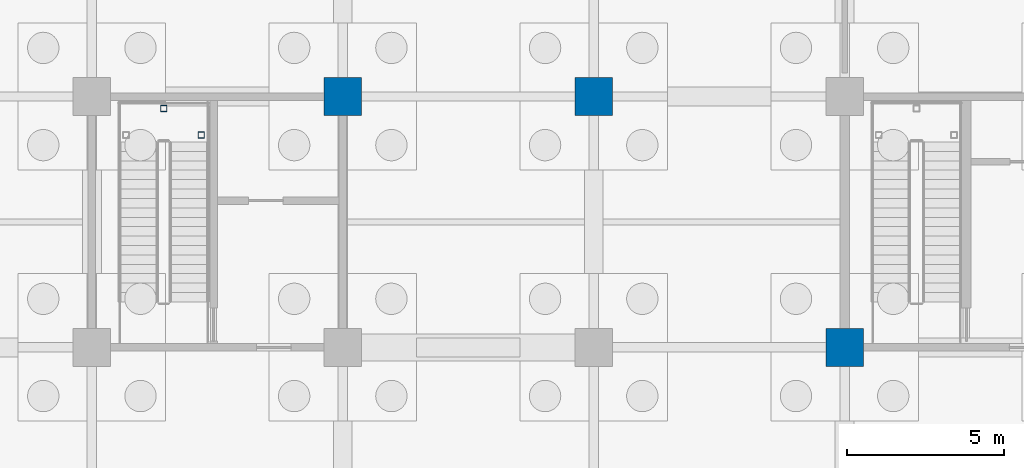
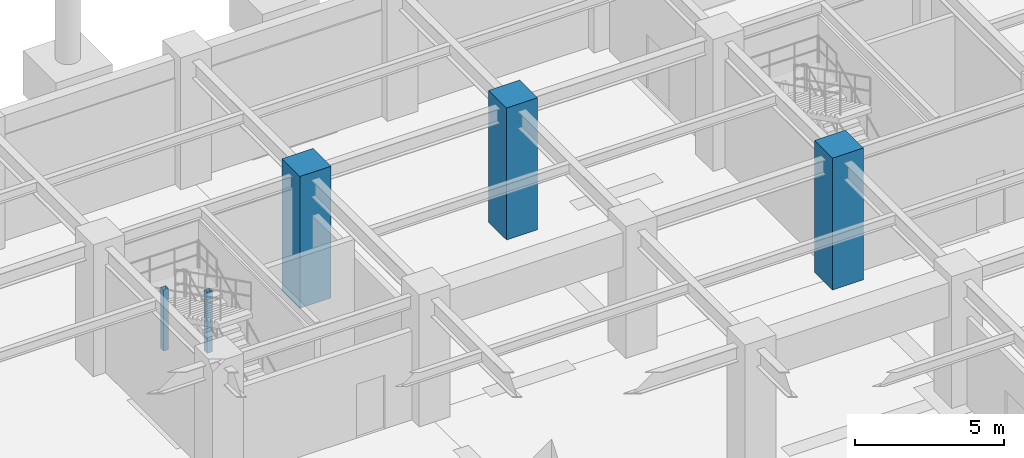
# One storey, part 26 of 97: 5 columns.
"""IFC4 building model written with IfcOpenShell, lengths in metres."""

from ifc_helpers import new_model, si_unit, direction, frame, origin, origin_2d, place, context, subcontext, project, spatial, rectangle, hollow_rectangle, extrude, material, material_profile, profile_set, type_object, element, save


model = new_model("IFC4")

# Units and contexts
model_context = context("Model", 3, precision=1e-05, world=origin(), true_north=direction((0.0, 1.0)))
body_context = subcontext(model_context, "Body", "Model", "MODEL_VIEW")
ifc_project = project(units=[si_unit("LENGTHUNIT", "METRE"), si_unit("AREAUNIT", "SQUARE_METRE"), si_unit("VOLUMEUNIT", "CUBIC_METRE"), si_unit("PLANEANGLEUNIT", "RADIAN"), si_unit("MASSUNIT", "GRAM", prefix="KILO")], contexts=[model_context])

# Site, building, storey
site_placement = place(None, origin())
site = spatial("IfcSite", under=ifc_project, at=site_placement, CompositionType="ELEMENT")
building_placement = place(site_placement, origin())
building = spatial("IfcBuilding", under=site, at=building_placement, Name="Haebicheon Civic Stadium", CompositionType="ELEMENT")
storey_placement = place(building_placement, frame((0.0, 0.0, -5.39990234375)))
storey = spatial("IfcBuildingStorey", under=building, at=storey_placement, Name="B1", CompositionType="ELEMENT", Elevation=-5.39990234375)

# Columns
ifc_material_1 = material(Name="Concrete C40/50", Category="concrete")
ifc_material_profile_1 = material_profile(ifc_material_1, rectangle(XDim=1.199951171875, YDim=1.199951171875, at=origin_2d()), Name="RC-COL-1200x1200")
ifc_profile_set_1 = profile_set([ifc_material_profile_1], Name="Concrete C40/50")
column_type_1 = type_object("IfcColumnType", Name="COL-RC-1200", PredefinedType="COLUMN", material=ifc_profile_set_1)
for number, where, z_axis, x_axis, name in (
    (1, (96.0, 24.0, 0.0), (0.0, 0.0, 1.0), (1.0, 0.0, 0.0), "B1 column 13/D"),
    (2, (104.0, 24.0, 0.0), (0.0, 0.0, 1.0), (1.0, 0.0, 0.0), "B1 column 14/D"),
    (3, (112.0, 16.0, 0.0), (0.0, 0.0, 1.0), (1.0, 0.0, 0.0), "B1 column 15/C"),
):
    element("IfcColumn", number, at=place(storey_placement, frame(where, z_axis=z_axis, x_axis=x_axis)), inside=storey, type_object=column_type_1, material=ifc_profile_set_1, Name=name, PredefinedType="COLUMN", context=body_context, shape_type="SweptSolid", body=[
        extrude(rectangle(XDim=1.199951171875, YDim=1.199951171875, at=origin_2d()), origin(), (0.0, 0.0, 1.0), 5.39990234375),
    ])
ifc_material_2 = material(Name="Steel SM355 (S355)", Category="steel")
ifc_material_profile_2 = material_profile(ifc_material_2, hollow_rectangle(XDim=0.199951171875, YDim=0.199951171875, WallThickness=0.009033203125, at=origin_2d()), Name="RHS-200x200x9.0")
ifc_profile_set_2 = profile_set([ifc_material_profile_2], Name="Steel SM355 (S355)")
column_type_2 = type_object("IfcColumnType", Name="COL-ST-RHS200", PredefinedType="COLUMN", material=ifc_profile_set_2)
for number, where, z_axis, x_axis, name in (
    (4, (91.489990234375, 22.77001953125, 0.0), (0.0, 0.0, 1.0), (1.0, 0.0, 0.0), "KC-06 B1 stair half-landing support post B"),
    (5, (90.2900390625, 23.6201171875, 0.0), (0.0, 0.0, 1.0), (1.0, 0.0, 0.0), "KC-06 B1 stair half-landing support post C"),
):
    element("IfcColumn", number, at=place(storey_placement, frame(where, z_axis=z_axis, x_axis=x_axis)), inside=storey, type_object=column_type_2, material=ifc_profile_set_2, Name=name, PredefinedType="COLUMN", context=body_context, shape_type="SweptSolid", body=[
        extrude(hollow_rectangle(XDim=0.199951171875, YDim=0.199951171875, WallThickness=0.009033203125, at=origin_2d()), origin(), (0.0, 0.0, 1.0), 2.5),
    ])

save(model, "model.ifc")
